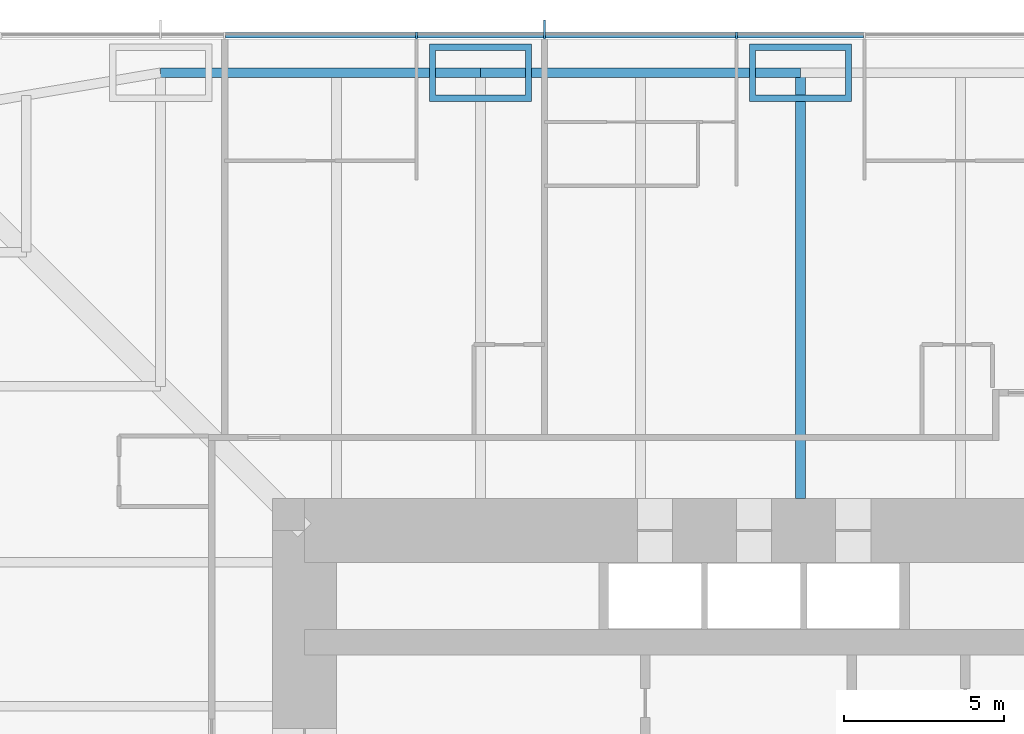
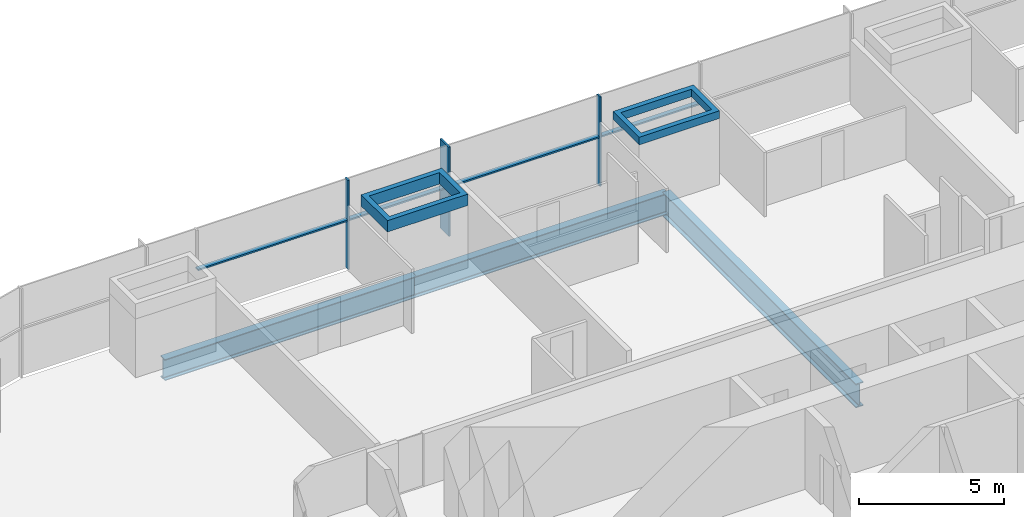
# One storey, part 7 of 17: 9 members, 3 beams, 1 element without a shape of its own.
"""IFC4 building model written with IfcOpenShell, lengths in metres."""

from ifc_helpers import new_model, si_unit, direction, frame, origin, origin_2d, place, context, subcontext, project, spatial, rectangle, hollow_rectangle, i_section, extrude, material, material_profile, profile_set, type_object, element, aggregate, save


model = new_model("IFC4")

# Units and contexts
model_context = context("Model", 3, precision=1e-05, world=origin(), true_north=direction((0.0, 1.0)))
body_context = subcontext(model_context, "Body", "Model", "MODEL_VIEW")
ifc_project = project(units=[si_unit("LENGTHUNIT", "METRE"), si_unit("AREAUNIT", "SQUARE_METRE"), si_unit("VOLUMEUNIT", "CUBIC_METRE"), si_unit("PLANEANGLEUNIT", "RADIAN"), si_unit("MASSUNIT", "GRAM", prefix="KILO")], contexts=[model_context])

# Site, building, storey
site_placement = place(None, origin())
site = spatial("IfcSite", under=ifc_project, at=site_placement, CompositionType="ELEMENT")
building_placement = place(site_placement, origin())
building = spatial("IfcBuilding", under=site, at=building_placement, Name="Khuree Lantern Residences", CompositionType="ELEMENT")
storey_placement = place(building_placement, frame((0.0, 0.0, 96.0)))
storey = spatial("IfcBuildingStorey", under=building, at=storey_placement, Name="L24", CompositionType="ELEMENT", Elevation=96.0)

# Beams
ifc_material_1 = material(Name="Steel S355", Category="steel")
ifc_material_profile_1 = material_profile(ifc_material_1, i_section(OverallWidth=0.300048828125, OverallDepth=0.889892578125, WebThickness=0.01611328125, FlangeThickness=0.030029296875, FilletRadius=0.030029296875, at=origin_2d()), Name="HE 900 A")
ifc_profile_set_1 = profile_set([ifc_material_profile_1], Name="Steel S355")
beam_type_1 = type_object("IfcBeamType", Name="E-15A SPANDREL BEAM HE 900 A", PredefinedType="SPANDREL", material=ifc_profile_set_1)
for number, where, z_axis, x_axis, name in (
    (1, (-20.0, 29.800048828125, -0.695068359375), (1.0, 0.0, 0.0), (0.0, 1.0, 0.0), "Spandrel beam N1"),
    (2, (-10.0, 29.800048828125, -0.695068359375), (1.0, 0.0, 0.0), (0.0, 1.0, 0.0), "Spandrel beam N2"),
):
    element("IfcBeam", number, at=place(storey_placement, frame(where, z_axis=z_axis, x_axis=x_axis)), inside=storey, type_object=beam_type_1, Name=name, PredefinedType="SPANDREL", context=body_context, shape_type="SweptSolid", body=[
        extrude(i_section(OverallWidth=0.300048828125, OverallDepth=0.889892578125, WebThickness=0.01611328125, FlangeThickness=0.030029296875, FilletRadius=0.030029296875, at=origin_2d()), origin(), (0.0, 0.0, 1.0), 10.0),
    ])

# Curtain wall, member
ifc_material_2 = material(Name="Bronze anodised aluminium", Category="aluminium")
curtain_wall_type = type_object("IfcCurtainWallType", Name="CW-T1 TOWER FACE CURTAIN WALL", PredefinedType="USERDEFINED", material=ifc_material_2)
curtain_wall_placement = place(storey_placement, origin())
curtain_wall = element("IfcCurtainWall", 3, at=curtain_wall_placement, inside=storey, type_object=curtain_wall_type, Name="L24 NORTH FACE CURTAIN WALL", ObjectType="Stick-built curtain wall", PredefinedType="USERDEFINED")
ifc_material_profile_2 = material_profile(ifc_material_2, rectangle(XDim=0.06494140625, YDim=0.60009765625, at=origin_2d()), Name="F1 65X600")
ifc_profile_set_2 = profile_set([ifc_material_profile_2], Name="Bronze anodised aluminium")
member_type_1 = type_object("IfcMemberType", Name="F1 BRONZE FIN MULLION TOWER 65X600", PredefinedType="MULLION", material=ifc_profile_set_2)
member_1_placement = place(storey_placement, frame((-8.0, 31.14990234375, 0.0), z_axis=(0.0, 0.0, 1.0), x_axis=(-1.0, 0.0, 0.0)))
member_1 = element("IfcMember", 4, at=member_1_placement, type_object=member_type_1, Name="L24 NORTH FACE FIN MULLION 25", PredefinedType="MULLION", context=body_context, shape_type="SweptSolid", body=[
    extrude(rectangle(XDim=0.06494140625, YDim=0.60009765625, at=origin_2d()), origin(), (0.0, 0.0, 1.0), 3.75),
])

# Beam
ifc_material_profile_3 = material_profile(ifc_material_1, i_section(OverallWidth=0.302001953125, OverallDepth=1.008056640625, WebThickness=0.02099609375, FlangeThickness=0.0400390625, FilletRadius=0.030029296875, at=origin_2d()), Name="HE 1000 M")
ifc_profile_set_3 = profile_set([ifc_material_profile_3], Name="Steel S355")
beam_type_2 = type_object("IfcBeamType", Name="G-15 GIRDER HE 1000 M", PredefinedType="BEAM", material=ifc_profile_set_3)
beam_placement = place(storey_placement, frame((0.0, 29.800048828125, -0.75390625), z_axis=(0.0, -1.0, 0.0), x_axis=(1.0, 0.0, 0.0)))
element("IfcBeam", 5, at=beam_placement, inside=storey, type_object=beam_type_2, Name="Girder N3", PredefinedType="BEAM", context=body_context, shape_type="SweptSolid", body=[
    extrude(i_section(OverallWidth=0.302001953125, OverallDepth=1.008056640625, WebThickness=0.02099609375, FlangeThickness=0.0400390625, FilletRadius=0.030029296875, at=origin_2d()), origin(), (0.0, 0.0, 1.0), 13.300048828125),
])

# Member
ifc_material_profile_4 = material_profile(ifc_material_2, rectangle(XDim=0.06494140625, YDim=0.219970703125, at=origin_2d()), Name="M1 65X220")
ifc_profile_set_4 = profile_set([ifc_material_profile_4], Name="Bronze anodised aluminium")
member_type_2 = type_object("IfcMemberType", Name="M1 BRONZE MULLION TOWER 65X220", PredefinedType="MULLION", material=ifc_profile_set_4)
member_2_placement = place(storey_placement, frame((-2.0, 30.9599609375, 0.0), z_axis=(0.0, 0.0, 1.0), x_axis=(-1.0, 0.0, 0.0)))
member_2 = element("IfcMember", 6, at=member_2_placement, type_object=member_type_2, Name="L24 NORTH FACE MULLION 24", PredefinedType="MULLION", context=body_context, shape_type="SweptSolid", body=[
    extrude(rectangle(XDim=0.06494140625, YDim=0.219970703125, at=origin_2d()), origin(), (0.0, 0.0, 1.0), 3.75),
])

member_3_placement = place(storey_placement, frame((-12.0, 30.9599609375, 0.0), z_axis=(0.0, 0.0, 1.0), x_axis=(-1.0, 0.0, 0.0)))
member_3 = element("IfcMember", 7, at=member_3_placement, type_object=member_type_2, Name="L24 NORTH FACE MULLION 26", PredefinedType="MULLION", context=body_context, shape_type="SweptSolid", body=[
    extrude(rectangle(XDim=0.06494140625, YDim=0.219970703125, at=origin_2d()), origin(), (0.0, 0.0, 1.0), 3.75),
])

# Members
ifc_material_3 = material(Name="Steel S355 CFT welded box", Category="steel")
ifc_material_profile_5 = material_profile(ifc_material_3, hollow_rectangle(XDim=3.199951171875, YDim=1.800048828125, WallThickness=0.199951171875, at=origin_2d()), Name="WELDED BOX 3200X1800X200")
ifc_profile_set_5 = profile_set([ifc_material_profile_5], Name="Steel S355 CFT welded box")
member_type_3 = type_object("IfcMemberType", Name="MN MEGA COLUMN NODE WELDED BOX 3200X1800X200", PredefinedType="MEMBER", material=ifc_profile_set_5)
member_4_placement = place(storey_placement, frame((-10.0, 29.800048828125, 2.6201171875), z_axis=(0.0, 0.0, 1.0), x_axis=(1.0, 0.0, 0.0)))
element("IfcMember", 8, at=member_4_placement, inside=storey, type_object=member_type_3, Name="Mega column node N2", PredefinedType="MEMBER", context=body_context, shape_type="SweptSolid", body=[
    extrude(hollow_rectangle(XDim=3.199951171875, YDim=1.800048828125, WallThickness=0.199951171875, at=origin_2d()), origin(), (0.0, 0.0, 1.0), 0.47998046875),
])
member_5_placement = place(storey_placement, frame((0.0, 29.800048828125, 2.780029296875), z_axis=(0.0, 0.0, 1.0), x_axis=(1.0, 0.0, 0.0)))
element("IfcMember", 9, at=member_5_placement, inside=storey, type_object=member_type_3, Name="Mega column node N3", PredefinedType="MEMBER", context=body_context, shape_type="SweptSolid", body=[
    extrude(hollow_rectangle(XDim=3.199951171875, YDim=1.800048828125, WallThickness=0.199951171875, at=origin_2d()), origin(), (0.0, 0.0, 1.0), 0.320068359375),
])

# Member
ifc_material_profile_6 = material_profile(ifc_material_2, rectangle(XDim=0.179931640625, YDim=0.06494140625, at=origin_2d()), Name="T1 180X65")
ifc_profile_set_6 = profile_set([ifc_material_profile_6], Name="Bronze anodised aluminium")
member_type_4 = type_object("IfcMemberType", Name="TRANSOM T1 TOWER 180X65", PredefinedType="USERDEFINED", material=ifc_profile_set_6)
member_6_placement = place(storey_placement, frame((1.967529296875, 30.969970703125, 2.050048828125), z_axis=(-1.0, 0.0, 0.0), x_axis=(0.0, -1.0, 0.0)))
member_6 = element("IfcMember", 10, at=member_6_placement, type_object=member_type_4, Name="L24 NORTH FACE TRANSOM 23.1", ObjectType="Transom", PredefinedType="USERDEFINED", context=body_context, shape_type="SweptSolid", body=[
    extrude(rectangle(XDim=0.179931640625, YDim=0.06494140625, at=origin_2d()), origin(), (0.0, 0.0, 1.0), 3.93505859375),
])

member_7_placement = place(storey_placement, frame((-2.032470703125, 30.969970703125, 2.050048828125), z_axis=(-1.0, 0.0, 0.0), x_axis=(0.0, -1.0, 0.0)))
member_7 = element("IfcMember", 11, at=member_7_placement, type_object=member_type_4, Name="L24 NORTH FACE TRANSOM 24.1", ObjectType="Transom", PredefinedType="USERDEFINED", context=body_context, shape_type="SweptSolid", body=[
    extrude(rectangle(XDim=0.179931640625, YDim=0.06494140625, at=origin_2d()), origin(), (0.0, 0.0, 1.0), 5.93505859375),
])

member_8_placement = place(storey_placement, frame((-8.032470703125, 30.969970703125, 2.050048828125), z_axis=(-1.0, 0.0, 0.0), x_axis=(0.0, -1.0, 0.0)))
member_8 = element("IfcMember", 12, at=member_8_placement, type_object=member_type_4, Name="L24 NORTH FACE TRANSOM 25.1", ObjectType="Transom", PredefinedType="USERDEFINED", context=body_context, shape_type="SweptSolid", body=[
    extrude(rectangle(XDim=0.179931640625, YDim=0.06494140625, at=origin_2d()), origin(), (0.0, 0.0, 1.0), 3.93505859375),
])

member_9_placement = place(storey_placement, frame((-12.032470703125, 30.969970703125, 2.050048828125), z_axis=(-1.0, 0.0, 0.0), x_axis=(0.0, -1.0, 0.0)))
member_9 = element("IfcMember", 13, at=member_9_placement, type_object=member_type_4, Name="L24 NORTH FACE TRANSOM 26.1", ObjectType="Transom", PredefinedType="USERDEFINED", context=body_context, shape_type="SweptSolid", body=[
    extrude(rectangle(XDim=0.179931640625, YDim=0.06494140625, at=origin_2d()), origin(), (0.0, 0.0, 1.0), 5.93505859375),
])

aggregate(curtain_wall, [member_2, member_1, member_3, member_6, member_7, member_8, member_9])

save(model, "model.ifc")
